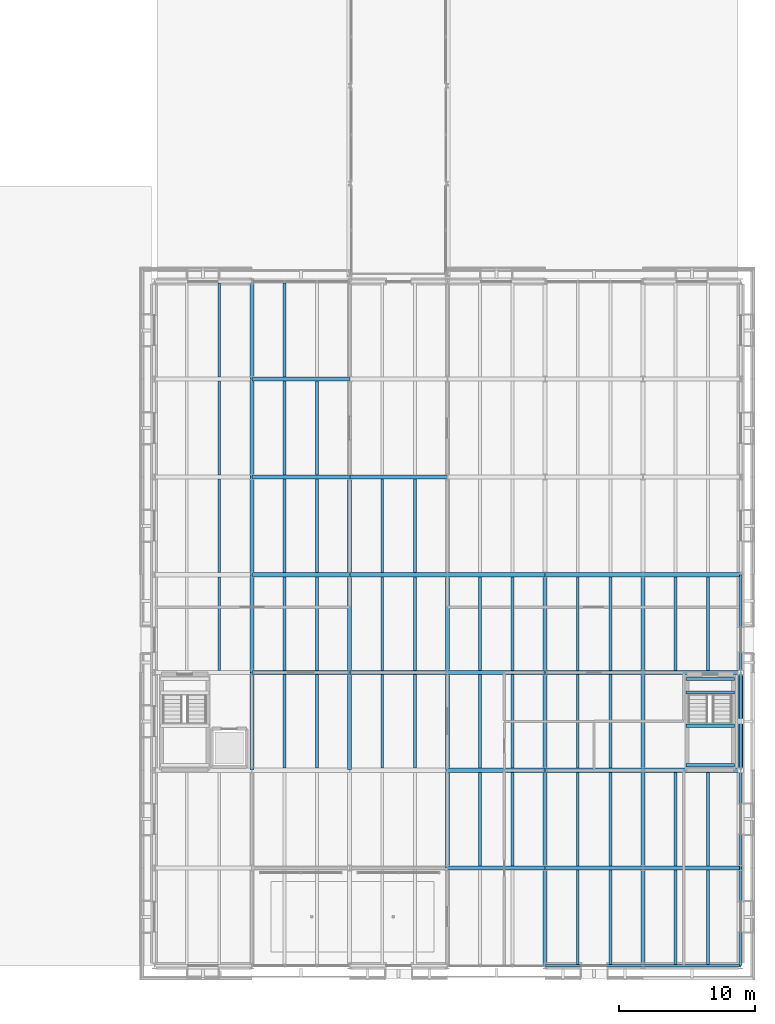
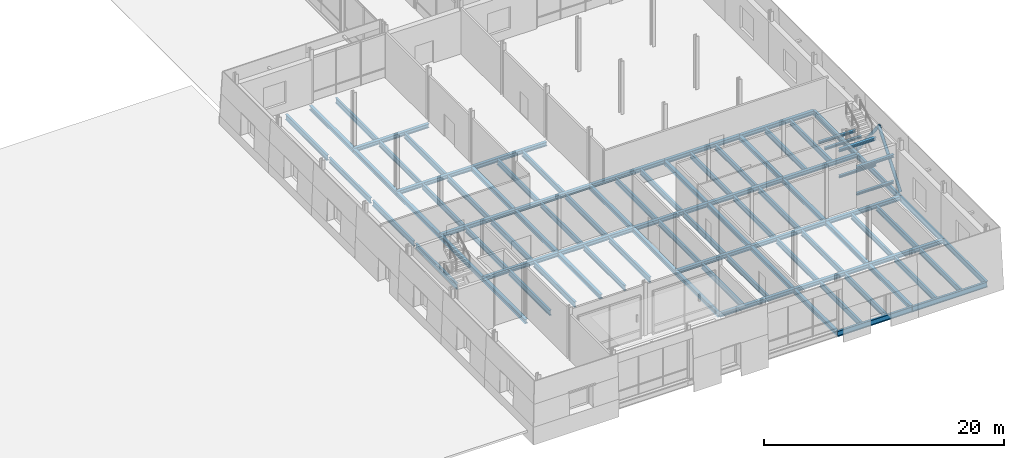
# One storey, part 39 of 120: 89 beams, 2 members.
"""IFC4 building model written with IfcOpenShell, lengths in metres."""

from ifc_helpers import new_model, si_unit, direction, frame, origin, origin_2d, place, context, subcontext, project, spatial, hollow_circle, i_section, extrude, material, material_profile, profile_set, type_object, element, save


model = new_model("IFC4")

# Units and contexts
model_context = context("Model", 3, precision=1e-05, world=origin(), true_north=direction((0.0, 1.0)))
body_context = subcontext(model_context, "Body", "Model", "MODEL_VIEW")
ifc_project = project(units=[si_unit("LENGTHUNIT", "METRE"), si_unit("AREAUNIT", "SQUARE_METRE"), si_unit("VOLUMEUNIT", "CUBIC_METRE"), si_unit("PLANEANGLEUNIT", "RADIAN"), si_unit("MASSUNIT", "GRAM", prefix="KILO")], contexts=[model_context])

# Site, building, storey
site_placement = place(None, origin())
site = spatial("IfcSite", under=ifc_project, at=site_placement, CompositionType="ELEMENT")
building_placement = place(site_placement, origin())
building = spatial("IfcBuilding", under=site, at=building_placement, Name="Narikvali Park Central Library", CompositionType="ELEMENT")
storey_placement = place(building_placement, origin())
storey = spatial("IfcBuildingStorey", under=building, at=storey_placement, Name="L00", CompositionType="ELEMENT", Elevation=0.0)

# Beams
ifc_material = material(Name="Steel S355", Category="steel")
ifc_material_profile_1 = material_profile(ifc_material, i_section(OverallWidth=0.2099609375, OverallDepth=0.550048828125, WebThickness=0.010986328125, FlangeThickness=0.01708984375, FilletRadius=0.02392578125, at=origin_2d()), Name="IPE 550")
ifc_profile_set_1 = profile_set([ifc_material_profile_1], Name="Steel S355")
beam_type_1 = type_object("IfcBeamType", Name="Assembly Floor Joist IPE550", PredefinedType="JOIST", material=ifc_profile_set_1)
beam_1_placement = place(storey_placement, frame((127.199951171875, 21.75, -0.594970703125), z_axis=(0.0, 1.0, 0.0), x_axis=(-1.0, 0.0, 0.0)))
element("IfcBeam", 1, at=beam_1_placement, inside=storey, type_object=beam_type_1, Name="V6 L00 Composite Joist 2", PredefinedType="JOIST", context=body_context, shape_type="SweptSolid", body=[
    extrude(i_section(OverallWidth=0.2099609375, OverallDepth=0.550048828125, WebThickness=0.010986328125, FlangeThickness=0.01708984375, FilletRadius=0.02392578125, at=origin_2d()), origin(), (0.0, 0.0, 1.0), 6.89990234375),
])
for number, where, z_axis, x_axis, name in (
    (2, (127.199951171875, 28.949951171875, -0.594970703125), (0.0, 1.0, 0.0), (-1.0, 0.0, 0.0), "V6 L00 Composite Joist 2"),
    (3, (127.199951171875, 36.14990234375, -0.594970703125), (0.0, 1.0, 0.0), (-1.0, 0.0, 0.0), "V6 L00 Composite Joist 2"),
):
    element("IfcBeam", number, at=place(storey_placement, frame(where, z_axis=z_axis, x_axis=x_axis)), inside=storey, type_object=beam_type_1, Name=name, PredefinedType="JOIST", context=body_context, shape_type="SweptSolid", body=[
        extrude(i_section(OverallWidth=0.2099609375, OverallDepth=0.550048828125, WebThickness=0.010986328125, FlangeThickness=0.01708984375, FilletRadius=0.02392578125, at=origin_2d()), origin(), (0.0, 0.0, 1.0), 6.900146484375),
    ])
beam_2_placement = place(storey_placement, frame((127.199951171875, 43.35009765625, -0.594970703125), z_axis=(0.0, 1.0, 0.0), x_axis=(-1.0, 0.0, 0.0)))
element("IfcBeam", 4, at=beam_2_placement, inside=storey, type_object=beam_type_1, Name="V6 L00 Composite Joist 2", PredefinedType="JOIST", context=body_context, shape_type="SweptSolid", body=[
    extrude(i_section(OverallWidth=0.2099609375, OverallDepth=0.550048828125, WebThickness=0.010986328125, FlangeThickness=0.01708984375, FilletRadius=0.02392578125, at=origin_2d()), origin(), (0.0, 0.0, 1.0), 6.94482421875),
])
for number, where, z_axis, x_axis, name in (
    (5, (132.0, 14.550048828125, -0.594970703125), (0.0, 1.0, 0.0), (-1.0, 0.0, 0.0), "V6 L00 Composite Joist 1"),
    (6, (134.39990234375, 14.550048828125, -0.594970703125), (0.0, 1.0, 0.0), (-1.0, 0.0, 0.0), "V6 L00 Composite Joist 2"),
    (7, (132.0, 21.75, -0.594970703125), (0.0, 1.0, 0.0), (-1.0, 0.0, 0.0), "V6 L00 Composite Joist 1"),
    (8, (134.39990234375, 21.75, -0.594970703125), (0.0, 1.0, 0.0), (-1.0, 0.0, 0.0), "V6 L00 Composite Joist 2"),
):
    element("IfcBeam", number, at=place(storey_placement, frame(where, z_axis=z_axis, x_axis=x_axis)), inside=storey, type_object=beam_type_1, Name=name, PredefinedType="JOIST", context=body_context, shape_type="SweptSolid", body=[
        extrude(i_section(OverallWidth=0.2099609375, OverallDepth=0.550048828125, WebThickness=0.010986328125, FlangeThickness=0.01708984375, FilletRadius=0.02392578125, at=origin_2d()), origin(), (0.0, 0.0, 1.0), 6.89990234375),
    ])
for number, where, z_axis, x_axis, name in (
    (9, (132.0, 28.949951171875, -0.594970703125), (0.0, 1.0, 0.0), (-1.0, 0.0, 0.0), "V6 L00 Composite Joist 1"),
    (10, (134.39990234375, 28.949951171875, -0.594970703125), (0.0, 1.0, 0.0), (-1.0, 0.0, 0.0), "V6 L00 Composite Joist 2"),
    (11, (132.0, 36.14990234375, -0.594970703125), (0.0, 1.0, 0.0), (-1.0, 0.0, 0.0), "V6 L00 Composite Joist 1"),
    (12, (134.39990234375, 36.14990234375, -0.594970703125), (0.0, 1.0, 0.0), (-1.0, 0.0, 0.0), "V6 L00 Composite Joist 2"),
):
    element("IfcBeam", number, at=place(storey_placement, frame(where, z_axis=z_axis, x_axis=x_axis)), inside=storey, type_object=beam_type_1, Name=name, PredefinedType="JOIST", context=body_context, shape_type="SweptSolid", body=[
        extrude(i_section(OverallWidth=0.2099609375, OverallDepth=0.550048828125, WebThickness=0.010986328125, FlangeThickness=0.01708984375, FilletRadius=0.02392578125, at=origin_2d()), origin(), (0.0, 0.0, 1.0), 6.900146484375),
    ])
beam_3_placement = place(storey_placement, frame((132.0, 43.35009765625, -0.594970703125), z_axis=(0.0, 1.0, 0.0), x_axis=(-1.0, 0.0, 0.0)))
element("IfcBeam", 13, at=beam_3_placement, inside=storey, type_object=beam_type_1, Name="V6 L00 Composite Joist 1", PredefinedType="JOIST", context=body_context, shape_type="SweptSolid", body=[
    extrude(i_section(OverallWidth=0.2099609375, OverallDepth=0.550048828125, WebThickness=0.010986328125, FlangeThickness=0.01708984375, FilletRadius=0.02392578125, at=origin_2d()), origin(), (0.0, 0.0, 1.0), 6.94482421875),
])
for number, where, z_axis, x_axis, name in (
    (14, (139.199951171875, 14.550048828125, -0.594970703125), (0.0, 1.0, 0.0), (-1.0, 0.0, 0.0), "V6 L00 Composite Joist 1"),
    (15, (141.60009765625, 14.550048828125, -0.594970703125), (0.0, 1.0, 0.0), (-1.0, 0.0, 0.0), "V6 L00 Composite Joist 2"),
    (16, (139.199951171875, 21.75, -0.594970703125), (0.0, 1.0, 0.0), (-1.0, 0.0, 0.0), "V6 L00 Composite Joist 1"),
    (17, (141.60009765625, 21.75, -0.594970703125), (0.0, 1.0, 0.0), (-1.0, 0.0, 0.0), "V6 L00 Composite Joist 2"),
):
    element("IfcBeam", number, at=place(storey_placement, frame(where, z_axis=z_axis, x_axis=x_axis)), inside=storey, type_object=beam_type_1, Name=name, PredefinedType="JOIST", context=body_context, shape_type="SweptSolid", body=[
        extrude(i_section(OverallWidth=0.2099609375, OverallDepth=0.550048828125, WebThickness=0.010986328125, FlangeThickness=0.01708984375, FilletRadius=0.02392578125, at=origin_2d()), origin(), (0.0, 0.0, 1.0), 6.89990234375),
    ])
for number, where, z_axis, x_axis, name in (
    (18, (139.199951171875, 28.949951171875, -0.594970703125), (0.0, 1.0, 0.0), (-1.0, 0.0, 0.0), "V6 L00 Composite Joist 1"),
    (19, (141.60009765625, 28.949951171875, -0.594970703125), (0.0, 1.0, 0.0), (-1.0, 0.0, 0.0), "V6 L00 Composite Joist 2"),
):
    element("IfcBeam", number, at=place(storey_placement, frame(where, z_axis=z_axis, x_axis=x_axis)), inside=storey, type_object=beam_type_1, Name=name, PredefinedType="JOIST", context=body_context, shape_type="SweptSolid", body=[
        extrude(i_section(OverallWidth=0.2099609375, OverallDepth=0.550048828125, WebThickness=0.010986328125, FlangeThickness=0.01708984375, FilletRadius=0.02392578125, at=origin_2d()), origin(), (0.0, 0.0, 1.0), 6.900146484375),
    ])
for number, where, z_axis, x_axis, name in (
    (20, (146.39990234375, 7.35009765625, -0.594970703125), (0.0, 1.0, 0.0), (-1.0, 0.0, 0.0), "V6 L00 Composite Joist 1"),
    (21, (148.800048828125, 7.35009765625, -0.594970703125), (0.0, 1.0, 0.0), (-1.0, 0.0, 0.0), "V6 L00 Composite Joist 2"),
    (22, (146.39990234375, 14.550048828125, -0.594970703125), (0.0, 1.0, 0.0), (-1.0, 0.0, 0.0), "V6 L00 Composite Joist 1"),
    (23, (148.800048828125, 14.550048828125, -0.594970703125), (0.0, 1.0, 0.0), (-1.0, 0.0, 0.0), "V6 L00 Composite Joist 2"),
    (24, (146.39990234375, 21.75, -0.594970703125), (0.0, 1.0, 0.0), (-1.0, 0.0, 0.0), "V6 L00 Composite Joist 1"),
    (25, (148.800048828125, 21.75, -0.594970703125), (0.0, 1.0, 0.0), (-1.0, 0.0, 0.0), "V6 L00 Composite Joist 2"),
):
    element("IfcBeam", number, at=place(storey_placement, frame(where, z_axis=z_axis, x_axis=x_axis)), inside=storey, type_object=beam_type_1, Name=name, PredefinedType="JOIST", context=body_context, shape_type="SweptSolid", body=[
        extrude(i_section(OverallWidth=0.2099609375, OverallDepth=0.550048828125, WebThickness=0.010986328125, FlangeThickness=0.01708984375, FilletRadius=0.02392578125, at=origin_2d()), origin(), (0.0, 0.0, 1.0), 6.89990234375),
    ])
for number, where, z_axis, x_axis, name in (
    (26, (153.60009765625, 0.10498046875, -0.594970703125), (0.0, 1.0, 0.0), (-1.0, 0.0, 0.0), "V6 L00 Composite Joist 1"),
    (27, (156.0, 0.10498046875, -0.594970703125), (0.0, 1.0, 0.0), (-1.0, 0.0, 0.0), "V6 L00 Composite Joist 2"),
):
    element("IfcBeam", number, at=place(storey_placement, frame(where, z_axis=z_axis, x_axis=x_axis)), inside=storey, type_object=beam_type_1, Name=name, PredefinedType="JOIST", context=body_context, shape_type="SweptSolid", body=[
        extrude(i_section(OverallWidth=0.2099609375, OverallDepth=0.550048828125, WebThickness=0.010986328125, FlangeThickness=0.01708984375, FilletRadius=0.02392578125, at=origin_2d()), origin(), (0.0, 0.0, 1.0), 6.945068359375),
    ])
for number, where, z_axis, x_axis, name in (
    (28, (153.60009765625, 7.35009765625, -0.594970703125), (0.0, 1.0, 0.0), (-1.0, 0.0, 0.0), "V6 L00 Composite Joist 1"),
    (29, (156.0, 7.35009765625, -0.594970703125), (0.0, 1.0, 0.0), (-1.0, 0.0, 0.0), "V6 L00 Composite Joist 2"),
    (30, (153.60009765625, 14.550048828125, -0.594970703125), (0.0, 1.0, 0.0), (-1.0, 0.0, 0.0), "V6 L00 Composite Joist 1"),
    (31, (156.0, 14.550048828125, -0.594970703125), (0.0, 1.0, 0.0), (-1.0, 0.0, 0.0), "V6 L00 Composite Joist 2"),
    (32, (153.60009765625, 21.75, -0.594970703125), (0.0, 1.0, 0.0), (-1.0, 0.0, 0.0), "V6 L00 Composite Joist 1"),
    (33, (156.0, 21.75, -0.594970703125), (0.0, 1.0, 0.0), (-1.0, 0.0, 0.0), "V6 L00 Composite Joist 2"),
):
    element("IfcBeam", number, at=place(storey_placement, frame(where, z_axis=z_axis, x_axis=x_axis)), inside=storey, type_object=beam_type_1, Name=name, PredefinedType="JOIST", context=body_context, shape_type="SweptSolid", body=[
        extrude(i_section(OverallWidth=0.2099609375, OverallDepth=0.550048828125, WebThickness=0.010986328125, FlangeThickness=0.01708984375, FilletRadius=0.02392578125, at=origin_2d()), origin(), (0.0, 0.0, 1.0), 6.89990234375),
    ])
for number, where, z_axis, x_axis, name in (
    (34, (160.800048828125, 0.10498046875, -0.594970703125), (0.0, 1.0, 0.0), (-1.0, 0.0, 0.0), "V6 L00 Composite Joist 1"),
    (35, (163.199951171875, 0.10498046875, -0.594970703125), (0.0, 1.0, 0.0), (-1.0, 0.0, 0.0), "V6 L00 Composite Joist 2"),
):
    element("IfcBeam", number, at=place(storey_placement, frame(where, z_axis=z_axis, x_axis=x_axis)), inside=storey, type_object=beam_type_1, Name=name, PredefinedType="JOIST", context=body_context, shape_type="SweptSolid", body=[
        extrude(i_section(OverallWidth=0.2099609375, OverallDepth=0.550048828125, WebThickness=0.010986328125, FlangeThickness=0.01708984375, FilletRadius=0.02392578125, at=origin_2d()), origin(), (0.0, 0.0, 1.0), 6.945068359375),
    ])
for number, where, z_axis, x_axis, name in (
    (36, (160.800048828125, 7.35009765625, -0.594970703125), (0.0, 1.0, 0.0), (-1.0, 0.0, 0.0), "V6 L00 Composite Joist 1"),
    (37, (163.199951171875, 7.35009765625, -0.594970703125), (0.0, 1.0, 0.0), (-1.0, 0.0, 0.0), "V6 L00 Composite Joist 2"),
    (38, (160.800048828125, 21.75, -0.594970703125), (0.0, 1.0, 0.0), (-1.0, 0.0, 0.0), "V6 L00 Composite Joist 1"),
    (39, (163.199951171875, 21.75, -0.594970703125), (0.0, 1.0, 0.0), (-1.0, 0.0, 0.0), "V6 L00 Composite Joist 2"),
):
    element("IfcBeam", number, at=place(storey_placement, frame(where, z_axis=z_axis, x_axis=x_axis)), inside=storey, type_object=beam_type_1, Name=name, PredefinedType="JOIST", context=body_context, shape_type="SweptSolid", body=[
        extrude(i_section(OverallWidth=0.2099609375, OverallDepth=0.550048828125, WebThickness=0.010986328125, FlangeThickness=0.01708984375, FilletRadius=0.02392578125, at=origin_2d()), origin(), (0.0, 0.0, 1.0), 6.89990234375),
    ])
ifc_material_profile_2 = material_profile(ifc_material, i_section(OverallWidth=0.239990234375, OverallDepth=0.239990234375, WebThickness=0.010009765625, FlangeThickness=0.01708984375, FilletRadius=0.02099609375, at=origin_2d()), Name="HEB 240")
ifc_profile_set_2 = profile_set([ifc_material_profile_2], Name="Steel S355")
beam_type_2 = type_object("IfcBeamType", Name="Core Trimmer Girder HEB240", PredefinedType="BEAM", material=ifc_profile_set_2)
for number, where, z_axis, x_axis, name in (
    (40, (161.570068359375, 14.77001953125, 1.030029296875), (1.0, 0.0, 0.0), (0.0, 1.0, 0.0), "ST-12 L00 Landing Trimmer Beam 1-1"),
    (41, (161.570068359375, 17.68505859375, 1.030029296875), (1.0, 0.0, 0.0), (0.0, 1.0, 0.0), "ST-12 L00 Landing Trimmer Beam 1-2"),
):
    element("IfcBeam", number, at=place(storey_placement, frame(where, z_axis=z_axis, x_axis=x_axis)), inside=storey, type_object=beam_type_2, Name=name, PredefinedType="BEAM", context=body_context, shape_type="SweptSolid", body=[
        extrude(i_section(OverallWidth=0.239990234375, OverallDepth=0.239990234375, WebThickness=0.010009765625, FlangeThickness=0.01708984375, FilletRadius=0.02099609375, at=origin_2d()), origin(), (0.0, 0.0, 1.0), 3.559814453125),
    ])
ifc_material_profile_3 = material_profile(ifc_material, i_section(OverallWidth=0.280029296875, OverallDepth=0.280029296875, WebThickness=0.010498046875, FlangeThickness=0.01806640625, FilletRadius=0.02392578125, at=origin_2d()), Name="HEB 280")
ifc_profile_set_3 = profile_set([ifc_material_profile_3], Name="Steel S355")
beam_type_3 = type_object("IfcBeamType", Name="Core Trimmer Girder HEB280", PredefinedType="BEAM", material=ifc_profile_set_3)
for number, where, z_axis, x_axis, name in (
    (42, (161.570068359375, 14.77001953125, 3.7099609375), (1.0, 0.0, 0.0), (0.0, 1.0, 0.0), "ST-12 L00 Landing Trimmer Beam 3-1"),
    (43, (161.570068359375, 17.68505859375, 3.7099609375), (1.0, 0.0, 0.0), (0.0, 1.0, 0.0), "ST-12 L00 Landing Trimmer Beam 3-2"),
):
    element("IfcBeam", number, at=place(storey_placement, frame(where, z_axis=z_axis, x_axis=x_axis)), inside=storey, type_object=beam_type_3, Name=name, PredefinedType="BEAM", context=body_context, shape_type="SweptSolid", body=[
        extrude(i_section(OverallWidth=0.280029296875, OverallDepth=0.280029296875, WebThickness=0.010498046875, FlangeThickness=0.01806640625, FilletRadius=0.02392578125, at=origin_2d()), origin(), (0.0, 0.0, 1.0), 3.559814453125),
    ])
ifc_material_profile_4 = material_profile(ifc_material, i_section(OverallWidth=0.300048828125, OverallDepth=0.39990234375, WebThickness=0.013427734375, FlangeThickness=0.02392578125, FilletRadius=0.027099609375, at=origin_2d()), Name="HEB 400")
ifc_profile_set_4 = profile_set([ifc_material_profile_4], Name="Steel S355")
beam_type_4 = type_object("IfcBeamType", Name="Gallery Framing Girder HEB400", PredefinedType="BEAM", material=ifc_profile_set_4)
beam_4_placement = place(storey_placement, frame((144.008056640625, 7.199951171875, -0.52001953125), z_axis=(1.0, 0.0, 0.0), x_axis=(0.0, 1.0, 0.0)))
element("IfcBeam", 44, at=beam_4_placement, inside=storey, type_object=beam_type_4, Name="V6 L00 Girder X", PredefinedType="BEAM", context=body_context, shape_type="SweptSolid", body=[
    extrude(i_section(OverallWidth=0.300048828125, OverallDepth=0.39990234375, WebThickness=0.013427734375, FlangeThickness=0.02392578125, FilletRadius=0.027099609375, at=origin_2d()), origin(), (0.0, 0.0, 1.0), 7.183837890625),
])
for number, where, z_axis, x_axis, name in (
    (45, (151.2080078125, 7.199951171875, -0.52001953125), (1.0, 0.0, 0.0), (0.0, 1.0, 0.0), "V6 L00 Girder X"),
    (46, (158.407958984375, 7.199951171875, -0.52001953125), (1.0, 0.0, 0.0), (0.0, 1.0, 0.0), "V6 L00 Girder X"),
):
    element("IfcBeam", number, at=place(storey_placement, frame(where, z_axis=z_axis, x_axis=x_axis)), inside=storey, type_object=beam_type_4, Name=name, PredefinedType="BEAM", context=body_context, shape_type="SweptSolid", body=[
        extrude(i_section(OverallWidth=0.300048828125, OverallDepth=0.39990234375, WebThickness=0.013427734375, FlangeThickness=0.02392578125, FilletRadius=0.027099609375, at=origin_2d()), origin(), (0.0, 0.0, 1.0), 7.18408203125),
    ])
beam_5_placement = place(storey_placement, frame((144.008056640625, 14.39990234375, -0.52001953125), z_axis=(1.0, 0.0, 0.0), x_axis=(0.0, 1.0, 0.0)))
element("IfcBeam", 47, at=beam_5_placement, inside=storey, type_object=beam_type_4, Name="V6 L00 Girder X", PredefinedType="BEAM", context=body_context, shape_type="SweptSolid", body=[
    extrude(i_section(OverallWidth=0.300048828125, OverallDepth=0.39990234375, WebThickness=0.013427734375, FlangeThickness=0.02392578125, FilletRadius=0.027099609375, at=origin_2d()), origin(), (0.0, 0.0, 1.0), 7.183837890625),
])
for number, where, z_axis, x_axis, name in (
    (48, (151.2080078125, 14.39990234375, -0.52001953125), (1.0, 0.0, 0.0), (0.0, 1.0, 0.0), "V6 L00 Girder X"),
    (49, (158.407958984375, 14.39990234375, -0.52001953125), (1.0, 0.0, 0.0), (0.0, 1.0, 0.0), "V6 L00 Girder X"),
    (50, (129.60791015625, 21.60009765625, -0.52001953125), (1.0, 0.0, 0.0), (0.0, 1.0, 0.0), "V6 L00 Girder X"),
):
    element("IfcBeam", number, at=place(storey_placement, frame(where, z_axis=z_axis, x_axis=x_axis)), inside=storey, type_object=beam_type_4, Name=name, PredefinedType="BEAM", context=body_context, shape_type="SweptSolid", body=[
        extrude(i_section(OverallWidth=0.300048828125, OverallDepth=0.39990234375, WebThickness=0.013427734375, FlangeThickness=0.02392578125, FilletRadius=0.027099609375, at=origin_2d()), origin(), (0.0, 0.0, 1.0), 7.18408203125),
    ])
for number, where, z_axis, x_axis, name in (
    (51, (136.80810546875, 21.60009765625, -0.52001953125), (1.0, 0.0, 0.0), (0.0, 1.0, 0.0), "V6 L00 Girder X"),
    (52, (144.008056640625, 21.60009765625, -0.52001953125), (1.0, 0.0, 0.0), (0.0, 1.0, 0.0), "V6 L00 Girder X"),
):
    element("IfcBeam", number, at=place(storey_placement, frame(where, z_axis=z_axis, x_axis=x_axis)), inside=storey, type_object=beam_type_4, Name=name, PredefinedType="BEAM", context=body_context, shape_type="SweptSolid", body=[
        extrude(i_section(OverallWidth=0.300048828125, OverallDepth=0.39990234375, WebThickness=0.013427734375, FlangeThickness=0.02392578125, FilletRadius=0.027099609375, at=origin_2d()), origin(), (0.0, 0.0, 1.0), 7.183837890625),
    ])
for number, where, z_axis, x_axis, name in (
    (53, (151.2080078125, 21.60009765625, -0.52001953125), (1.0, 0.0, 0.0), (0.0, 1.0, 0.0), "V6 L00 Girder X"),
    (54, (158.407958984375, 21.60009765625, -0.52001953125), (1.0, 0.0, 0.0), (0.0, 1.0, 0.0), "V6 L00 Girder X"),
    (55, (129.60791015625, 28.800048828125, -0.52001953125), (1.0, 0.0, 0.0), (0.0, 1.0, 0.0), "V6 L00 Girder X"),
):
    element("IfcBeam", number, at=place(storey_placement, frame(where, z_axis=z_axis, x_axis=x_axis)), inside=storey, type_object=beam_type_4, Name=name, PredefinedType="BEAM", context=body_context, shape_type="SweptSolid", body=[
        extrude(i_section(OverallWidth=0.300048828125, OverallDepth=0.39990234375, WebThickness=0.013427734375, FlangeThickness=0.02392578125, FilletRadius=0.027099609375, at=origin_2d()), origin(), (0.0, 0.0, 1.0), 7.18408203125),
    ])
for number, where, z_axis, x_axis, name in (
    (56, (136.80810546875, 28.800048828125, -0.52001953125), (1.0, 0.0, 0.0), (0.0, 1.0, 0.0), "V6 L00 Girder X"),
    (57, (144.008056640625, 28.800048828125, -0.52001953125), (1.0, 0.0, 0.0), (0.0, 1.0, 0.0), "V6 L00 Girder X"),
):
    element("IfcBeam", number, at=place(storey_placement, frame(where, z_axis=z_axis, x_axis=x_axis)), inside=storey, type_object=beam_type_4, Name=name, PredefinedType="BEAM", context=body_context, shape_type="SweptSolid", body=[
        extrude(i_section(OverallWidth=0.300048828125, OverallDepth=0.39990234375, WebThickness=0.013427734375, FlangeThickness=0.02392578125, FilletRadius=0.027099609375, at=origin_2d()), origin(), (0.0, 0.0, 1.0), 7.183837890625),
    ])
for number, where, z_axis, x_axis, name in (
    (58, (151.2080078125, 28.800048828125, -0.52001953125), (1.0, 0.0, 0.0), (0.0, 1.0, 0.0), "V6 L00 Girder X"),
    (59, (158.407958984375, 28.800048828125, -0.52001953125), (1.0, 0.0, 0.0), (0.0, 1.0, 0.0), "V6 L00 Girder X"),
    (60, (129.60791015625, 36.0, -0.52001953125), (1.0, 0.0, 0.0), (0.0, 1.0, 0.0), "V6 L00 Girder X"),
):
    element("IfcBeam", number, at=place(storey_placement, frame(where, z_axis=z_axis, x_axis=x_axis)), inside=storey, type_object=beam_type_4, Name=name, PredefinedType="BEAM", context=body_context, shape_type="SweptSolid", body=[
        extrude(i_section(OverallWidth=0.300048828125, OverallDepth=0.39990234375, WebThickness=0.013427734375, FlangeThickness=0.02392578125, FilletRadius=0.027099609375, at=origin_2d()), origin(), (0.0, 0.0, 1.0), 7.18408203125),
    ])
beam_6_placement = place(storey_placement, frame((136.80810546875, 36.0, -0.52001953125), z_axis=(1.0, 0.0, 0.0), x_axis=(0.0, 1.0, 0.0)))
element("IfcBeam", 61, at=beam_6_placement, inside=storey, type_object=beam_type_4, Name="V6 L00 Girder X", PredefinedType="BEAM", context=body_context, shape_type="SweptSolid", body=[
    extrude(i_section(OverallWidth=0.300048828125, OverallDepth=0.39990234375, WebThickness=0.013427734375, FlangeThickness=0.02392578125, FilletRadius=0.027099609375, at=origin_2d()), origin(), (0.0, 0.0, 1.0), 7.183837890625),
])
beam_7_placement = place(storey_placement, frame((129.60791015625, 43.199951171875, -0.52001953125), z_axis=(1.0, 0.0, 0.0), x_axis=(0.0, 1.0, 0.0)))
element("IfcBeam", 62, at=beam_7_placement, inside=storey, type_object=beam_type_4, Name="V6 L00 Girder X", PredefinedType="BEAM", context=body_context, shape_type="SweptSolid", body=[
    extrude(i_section(OverallWidth=0.300048828125, OverallDepth=0.39990234375, WebThickness=0.013427734375, FlangeThickness=0.02392578125, FilletRadius=0.027099609375, at=origin_2d()), origin(), (0.0, 0.0, 1.0), 7.18408203125),
])

# Members
ifc_material_profile_5 = material_profile(ifc_material, hollow_circle(Radius=0.149169921875, WallThickness=0.012451171875, at=origin_2d()), Name="CHS 298.5x12.5")
ifc_profile_set_5 = profile_set([ifc_material_profile_5], Name="Steel S355")
member_type = type_object("IfcMemberType", Name="Ground Chevron Brace CHS298", PredefinedType="BRACE", material=ifc_profile_set_5)
for number, where, z_axis, x_axis, name in (
    (63, (165.60009765625, 14.4150390625, 0.014892578125), (0.0, 0.61593947973, 0.787793473767), (-1.0, 0.0, 0.0), "V6 L00 Seismic Chevron Brace A"),
    (64, (165.60009765625, 21.5849609375, 0.014892578125), (0.0, -0.61593947973, 0.787793473767), (1.0, 0.0, 0.0), "V6 L00 Seismic Chevron Brace B"),
):
    element("IfcMember", number, at=place(storey_placement, frame(where, z_axis=z_axis, x_axis=x_axis)), inside=storey, type_object=member_type, Name=name, PredefinedType="BRACE", context=body_context, shape_type="SweptSolid", body=[
        extrude(hollow_circle(Radius=0.149169921875, WallThickness=0.012451171875, at=origin_2d()), origin(), (0.0, 0.0, 1.0), 5.8203125),
    ])

# Beams
ifc_material_profile_6 = material_profile(ifc_material, i_section(OverallWidth=0.2099609375, OverallDepth=0.550048828125, WebThickness=0.010986328125, FlangeThickness=0.01708984375, FilletRadius=0.02392578125, at=origin_2d()), Name="IPE 550")
ifc_profile_set_6 = profile_set([ifc_material_profile_6], Name="Steel S355")
beam_type_5 = type_object("IfcBeamType", Name="Perimeter Spandrel IPE550", PredefinedType="SPANDREL", material=ifc_profile_set_6)
for number, where, z_axis, x_axis, name in (
    (65, (151.2080078125, 0.0, -0.594970703125), (1.0, 0.0, 0.0), (0.0, 1.0, 0.0), "V6 L00 Girder X"),
    (66, (158.407958984375, 0.0, -0.594970703125), (1.0, 0.0, 0.0), (0.0, 1.0, 0.0), "V6 L00 Girder X"),
):
    element("IfcBeam", number, at=place(storey_placement, frame(where, z_axis=z_axis, x_axis=x_axis)), inside=storey, type_object=beam_type_5, Name=name, PredefinedType="SPANDREL", context=body_context, shape_type="SweptSolid", body=[
        extrude(i_section(OverallWidth=0.2099609375, OverallDepth=0.550048828125, WebThickness=0.010986328125, FlangeThickness=0.01708984375, FilletRadius=0.02392578125, at=origin_2d()), origin(), (0.0, 0.0, 1.0), 7.18408203125),
    ])
beam_8_placement = place(storey_placement, frame((165.60009765625, 0.008056640625, -0.594970703125), z_axis=(0.0, 1.0, 0.0), x_axis=(-1.0, 0.0, 0.0)))
element("IfcBeam", 67, at=beam_8_placement, inside=storey, type_object=beam_type_5, Name="V6 L00 Girder Y", PredefinedType="SPANDREL", context=body_context, shape_type="SweptSolid", body=[
    extrude(i_section(OverallWidth=0.2099609375, OverallDepth=0.550048828125, WebThickness=0.010986328125, FlangeThickness=0.01708984375, FilletRadius=0.02392578125, at=origin_2d()), origin(), (0.0, 0.0, 1.0), 7.183837890625),
])
for number, where, z_axis, x_axis, name in (
    (68, (165.60009765625, 7.2080078125, -0.594970703125), (0.0, 1.0, 0.0), (-1.0, 0.0, 0.0), "V6 L00 Girder Y"),
    (69, (165.60009765625, 14.407958984375, -0.594970703125), (0.0, 1.0, 0.0), (-1.0, 0.0, 0.0), "V6 L00 Girder Y"),
    (70, (165.60009765625, 21.60791015625, -0.594970703125), (0.0, 1.0, 0.0), (-1.0, 0.0, 0.0), "V6 L00 Girder Y"),
):
    element("IfcBeam", number, at=place(storey_placement, frame(where, z_axis=z_axis, x_axis=x_axis)), inside=storey, type_object=beam_type_5, Name=name, PredefinedType="SPANDREL", context=body_context, shape_type="SweptSolid", body=[
        extrude(i_section(OverallWidth=0.2099609375, OverallDepth=0.550048828125, WebThickness=0.010986328125, FlangeThickness=0.01708984375, FilletRadius=0.02392578125, at=origin_2d()), origin(), (0.0, 0.0, 1.0), 7.18408203125),
    ])
ifc_material_profile_7 = material_profile(ifc_material, i_section(OverallWidth=0.239990234375, OverallDepth=0.22998046875, WebThickness=0.007568359375, FlangeThickness=0.011962890625, FilletRadius=0.02099609375, at=origin_2d()), Name="HEA 240")
ifc_profile_set_7 = profile_set([ifc_material_profile_7], Name="Steel S355")
beam_type_6 = type_object("IfcBeamType", Name="Primary Girder HEA240", PredefinedType="BEAM", material=ifc_profile_set_7)
for number, where, z_axis, x_axis, name in (
    (71, (161.570068359375, 20.1201171875, 2.385009765625), (1.0, 0.0, 0.0), (0.0, 1.0, 0.0), "ST-12 L00 Landing Trimmer Beam 2-1"),
    (72, (161.570068359375, 21.1298828125, 2.385009765625), (1.0, 0.0, 0.0), (0.0, 1.0, 0.0), "ST-12 L00 Landing Trimmer Beam 2-2"),
):
    element("IfcBeam", number, at=place(storey_placement, frame(where, z_axis=z_axis, x_axis=x_axis)), inside=storey, type_object=beam_type_6, Name=name, PredefinedType="BEAM", context=body_context, shape_type="SweptSolid", body=[
        extrude(i_section(OverallWidth=0.239990234375, OverallDepth=0.22998046875, WebThickness=0.007568359375, FlangeThickness=0.011962890625, FilletRadius=0.02099609375, at=origin_2d()), origin(), (0.0, 0.0, 1.0), 3.559814453125),
    ])
ifc_material_profile_8 = material_profile(ifc_material, i_section(OverallWidth=0.300048828125, OverallDepth=0.43994140625, WebThickness=0.011474609375, FlangeThickness=0.02099609375, FilletRadius=0.027099609375, at=origin_2d()), Name="HEA 450")
ifc_profile_set_8 = profile_set([ifc_material_profile_8], Name="Steel S355")
beam_type_7 = type_object("IfcBeamType", Name="Primary Girder HEA450", PredefinedType="BEAM", material=ifc_profile_set_8)
for number, where, z_axis, x_axis, name in (
    (73, (129.60009765625, 14.407958984375, -0.5400390625), (0.0, 1.0, 0.0), (-1.0, 0.0, 0.0), "V6 L00 Girder Y"),
    (74, (129.60009765625, 21.60791015625, -0.5400390625), (0.0, 1.0, 0.0), (-1.0, 0.0, 0.0), "V6 L00 Girder Y"),
):
    element("IfcBeam", number, at=place(storey_placement, frame(where, z_axis=z_axis, x_axis=x_axis)), inside=storey, type_object=beam_type_7, Name=name, PredefinedType="BEAM", context=body_context, shape_type="SweptSolid", body=[
        extrude(i_section(OverallWidth=0.300048828125, OverallDepth=0.43994140625, WebThickness=0.011474609375, FlangeThickness=0.02099609375, FilletRadius=0.027099609375, at=origin_2d()), origin(), (0.0, 0.0, 1.0), 7.18408203125),
    ])
for number, where, z_axis, x_axis, name in (
    (75, (129.60009765625, 28.80810546875, -0.5400390625), (0.0, 1.0, 0.0), (-1.0, 0.0, 0.0), "V6 L00 Girder Y"),
    (76, (129.60009765625, 36.008056640625, -0.5400390625), (0.0, 1.0, 0.0), (-1.0, 0.0, 0.0), "V6 L00 Girder Y"),
):
    element("IfcBeam", number, at=place(storey_placement, frame(where, z_axis=z_axis, x_axis=x_axis)), inside=storey, type_object=beam_type_7, Name=name, PredefinedType="BEAM", context=body_context, shape_type="SweptSolid", body=[
        extrude(i_section(OverallWidth=0.300048828125, OverallDepth=0.43994140625, WebThickness=0.011474609375, FlangeThickness=0.02099609375, FilletRadius=0.027099609375, at=origin_2d()), origin(), (0.0, 0.0, 1.0), 7.183837890625),
    ])
for number, where, z_axis, x_axis, name in (
    (77, (129.60009765625, 43.2080078125, -0.5400390625), (0.0, 1.0, 0.0), (-1.0, 0.0, 0.0), "V6 L00 Girder Y"),
    (78, (136.800048828125, 14.407958984375, -0.5400390625), (0.0, 1.0, 0.0), (-1.0, 0.0, 0.0), "V6 L00 Girder Y"),
    (79, (136.800048828125, 21.60791015625, -0.5400390625), (0.0, 1.0, 0.0), (-1.0, 0.0, 0.0), "V6 L00 Girder Y"),
):
    element("IfcBeam", number, at=place(storey_placement, frame(where, z_axis=z_axis, x_axis=x_axis)), inside=storey, type_object=beam_type_7, Name=name, PredefinedType="BEAM", context=body_context, shape_type="SweptSolid", body=[
        extrude(i_section(OverallWidth=0.300048828125, OverallDepth=0.43994140625, WebThickness=0.011474609375, FlangeThickness=0.02099609375, FilletRadius=0.027099609375, at=origin_2d()), origin(), (0.0, 0.0, 1.0), 7.18408203125),
    ])
beam_9_placement = place(storey_placement, frame((136.800048828125, 28.80810546875, -0.5400390625), z_axis=(0.0, 1.0, 0.0), x_axis=(-1.0, 0.0, 0.0)))
element("IfcBeam", 80, at=beam_9_placement, inside=storey, type_object=beam_type_7, Name="V6 L00 Girder Y", PredefinedType="BEAM", context=body_context, shape_type="SweptSolid", body=[
    extrude(i_section(OverallWidth=0.300048828125, OverallDepth=0.43994140625, WebThickness=0.011474609375, FlangeThickness=0.02099609375, FilletRadius=0.027099609375, at=origin_2d()), origin(), (0.0, 0.0, 1.0), 7.183837890625),
])
for number, where, z_axis, x_axis, name in (
    (81, (144.0, 7.2080078125, -0.5400390625), (0.0, 1.0, 0.0), (-1.0, 0.0, 0.0), "V6 L00 Girder Y"),
    (82, (144.0, 14.407958984375, -0.5400390625), (0.0, 1.0, 0.0), (-1.0, 0.0, 0.0), "V6 L00 Girder Y"),
    (83, (144.0, 21.60791015625, -0.5400390625), (0.0, 1.0, 0.0), (-1.0, 0.0, 0.0), "V6 L00 Girder Y"),
):
    element("IfcBeam", number, at=place(storey_placement, frame(where, z_axis=z_axis, x_axis=x_axis)), inside=storey, type_object=beam_type_7, Name=name, PredefinedType="BEAM", context=body_context, shape_type="SweptSolid", body=[
        extrude(i_section(OverallWidth=0.300048828125, OverallDepth=0.43994140625, WebThickness=0.011474609375, FlangeThickness=0.02099609375, FilletRadius=0.027099609375, at=origin_2d()), origin(), (0.0, 0.0, 1.0), 7.18408203125),
    ])
beam_10_placement = place(storey_placement, frame((151.199951171875, 0.008056640625, -0.5400390625), z_axis=(0.0, 1.0, 0.0), x_axis=(-1.0, 0.0, 0.0)))
element("IfcBeam", 84, at=beam_10_placement, inside=storey, type_object=beam_type_7, Name="V6 L00 Girder Y", PredefinedType="BEAM", context=body_context, shape_type="SweptSolid", body=[
    extrude(i_section(OverallWidth=0.300048828125, OverallDepth=0.43994140625, WebThickness=0.011474609375, FlangeThickness=0.02099609375, FilletRadius=0.027099609375, at=origin_2d()), origin(), (0.0, 0.0, 1.0), 7.183837890625),
])
for number, where, z_axis, x_axis, name in (
    (85, (151.199951171875, 7.2080078125, -0.5400390625), (0.0, 1.0, 0.0), (-1.0, 0.0, 0.0), "V6 L00 Girder Y"),
    (86, (151.199951171875, 14.407958984375, -0.5400390625), (0.0, 1.0, 0.0), (-1.0, 0.0, 0.0), "V6 L00 Girder Y"),
    (87, (151.199951171875, 21.60791015625, -0.5400390625), (0.0, 1.0, 0.0), (-1.0, 0.0, 0.0), "V6 L00 Girder Y"),
):
    element("IfcBeam", number, at=place(storey_placement, frame(where, z_axis=z_axis, x_axis=x_axis)), inside=storey, type_object=beam_type_7, Name=name, PredefinedType="BEAM", context=body_context, shape_type="SweptSolid", body=[
        extrude(i_section(OverallWidth=0.300048828125, OverallDepth=0.43994140625, WebThickness=0.011474609375, FlangeThickness=0.02099609375, FilletRadius=0.027099609375, at=origin_2d()), origin(), (0.0, 0.0, 1.0), 7.18408203125),
    ])
beam_11_placement = place(storey_placement, frame((158.39990234375, 0.008056640625, -0.5400390625), z_axis=(0.0, 1.0, 0.0), x_axis=(-1.0, 0.0, 0.0)))
element("IfcBeam", 88, at=beam_11_placement, inside=storey, type_object=beam_type_7, Name="V6 L00 Girder Y", PredefinedType="BEAM", context=body_context, shape_type="SweptSolid", body=[
    extrude(i_section(OverallWidth=0.300048828125, OverallDepth=0.43994140625, WebThickness=0.011474609375, FlangeThickness=0.02099609375, FilletRadius=0.027099609375, at=origin_2d()), origin(), (0.0, 0.0, 1.0), 7.183837890625),
])
for number, where, z_axis, x_axis, name in (
    (89, (158.39990234375, 7.2080078125, -0.5400390625), (0.0, 1.0, 0.0), (-1.0, 0.0, 0.0), "V6 L00 Girder Y"),
    (90, (158.39990234375, 14.407958984375, -0.5400390625), (0.0, 1.0, 0.0), (-1.0, 0.0, 0.0), "V6 L00 Girder Y"),
    (91, (158.39990234375, 21.60791015625, -0.5400390625), (0.0, 1.0, 0.0), (-1.0, 0.0, 0.0), "V6 L00 Girder Y"),
):
    element("IfcBeam", number, at=place(storey_placement, frame(where, z_axis=z_axis, x_axis=x_axis)), inside=storey, type_object=beam_type_7, Name=name, PredefinedType="BEAM", context=body_context, shape_type="SweptSolid", body=[
        extrude(i_section(OverallWidth=0.300048828125, OverallDepth=0.43994140625, WebThickness=0.011474609375, FlangeThickness=0.02099609375, FilletRadius=0.027099609375, at=origin_2d()), origin(), (0.0, 0.0, 1.0), 7.18408203125),
    ])

save(model, "model.ifc")
